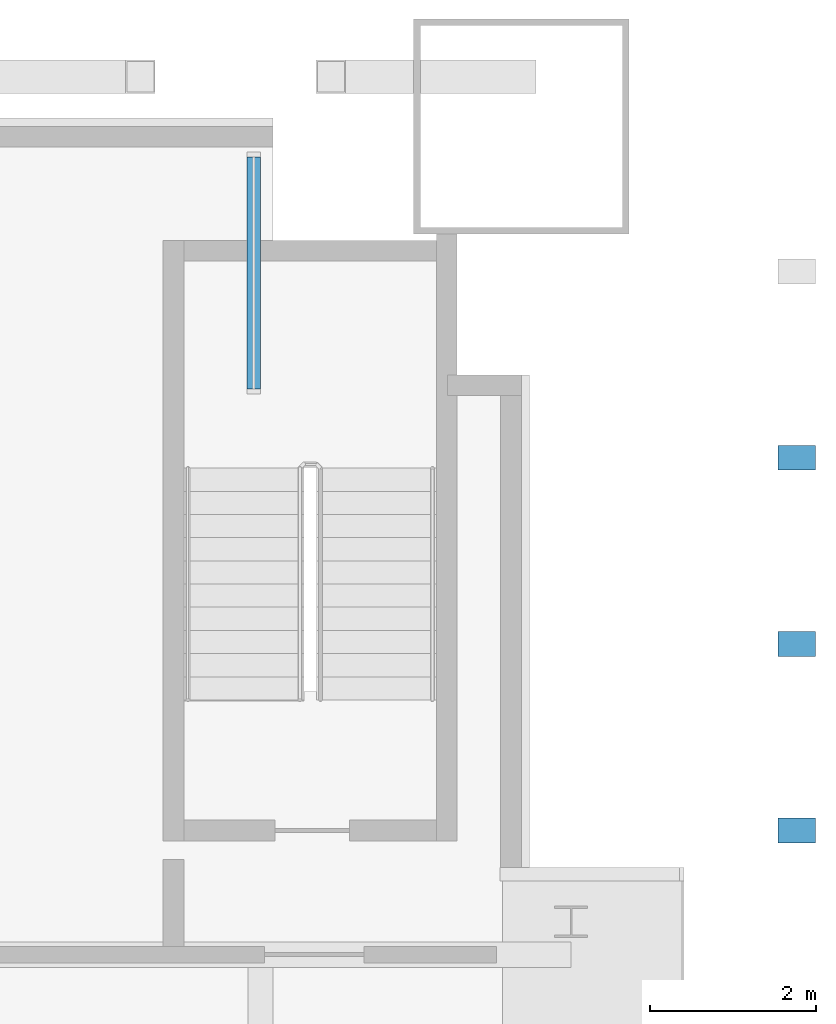
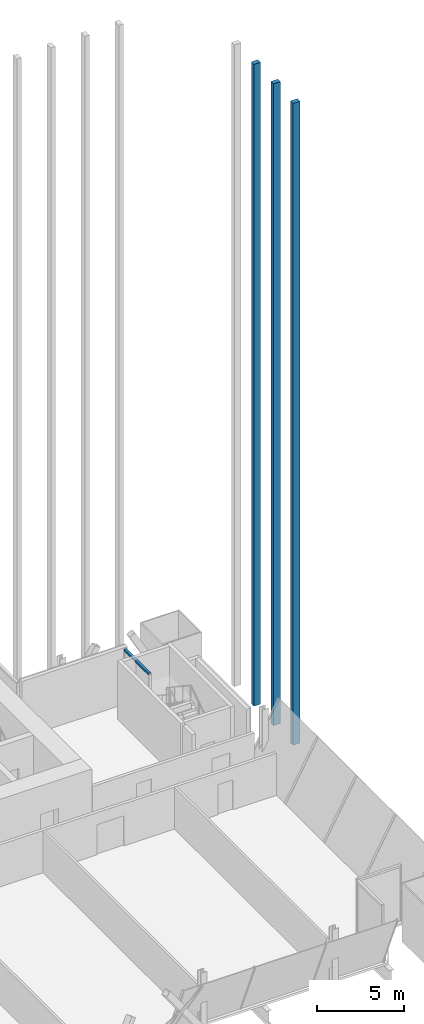
# One storey, part 25 of 33: 4 members, 2 elements without a shape of their own.
"""IFC4 building model written with IfcOpenShell, lengths in metres."""

import ifcopenshell
import ifcopenshell.guid

model = None  # the IFC model being written
_history = None  # IfcOwnerHistory: only IFC2X3 demands one
_inside = {}  # id of a spatial element -> (the spatial element, [elements in it])
_under = {}  # id of a project, library or spatial element -> (it, [spatial elements below it])
_declared = {}  # id of a project -> (the project, [libraries it declares])
_typed = {}  # id of a type object -> (the type object, [elements of that type])
_made_of = {}  # id of a material, layer set ... -> (it, [elements and type objects made of it])


def new_model(schema):
    """Start an empty IFC model of exactly this schema.

    Asked for "IFC4X3", IfcOpenShell would pick the latest addendum, in which some entities
    have other attributes; the version numbers below select the first issue.
    IFC2X3 requires an IfcOwnerHistory on every rooted entity: one is made here for all.
    """
    global model, _history
    if schema == "IFC4X3":
        model = ifcopenshell.file(schema_version=(4, 3, 0, 0))
    else:
        model = ifcopenshell.file(schema=schema)
    _inside.clear()
    _under.clear()
    _declared.clear()
    _typed.clear()
    _made_of.clear()
    _history = None
    if model.schema == "IFC2X3":
        org = make("IfcOrganization", Name="unknown")
        user = make(
            "IfcPersonAndOrganization",
            ThePerson=make("IfcPerson", FamilyName="unknown"),
            TheOrganization=org,
        )
        app = make(
            "IfcApplication",
            ApplicationDeveloper=org,
            Version="unknown",
            ApplicationFullName="unknown",
            ApplicationIdentifier="unknown",
        )
        _history = make(
            "IfcOwnerHistory",
            OwningUser=user,
            OwningApplication=app,
            ChangeAction="ADDED",
            CreationDate=0,
        )
    return model


def make(cls, **values):
    """One entity of the class cls with the attributes given. An attribute that is None is left unset."""
    return model.create_entity(
        cls, **{name: value for name, value in values.items() if value is not None}
    )


def rooted(cls, **values):
    """An entity with a GlobalId (a new one), such as an element, a storey or a relation."""
    return make(cls, GlobalId=ifcopenshell.guid.new(), OwnerHistory=_history, **values)


def si_unit(unit_type, name, prefix=None):
    """IfcSIUnit, for example si_unit("LENGTHUNIT", "METRE", prefix="MILLI")."""
    return make("IfcSIUnit", UnitType=unit_type, Prefix=prefix, Name=name)


def assignment(units):
    """IfcUnitAssignment: the units of a project."""
    return None if units is None else make("IfcUnitAssignment", Units=units)


def point(xyz):
    """IfcCartesianPoint."""
    return None if xyz is None else make("IfcCartesianPoint", Coordinates=xyz)


def direction(xyz):
    """IfcDirection."""
    return None if xyz is None else make("IfcDirection", DirectionRatios=xyz)


def frame(location, z_axis=None, x_axis=None):
    """IfcAxis2Placement3D, a coordinate frame: its origin and axes. An axis left out is left unset."""
    return make(
        "IfcAxis2Placement3D",
        Location=point(location),
        Axis=direction(z_axis),
        RefDirection=direction(x_axis),
    )


def frame_2d(location, x_axis=None):
    """IfcAxis2Placement2D, a coordinate frame in the plane: its origin and x axis."""
    return make(
        "IfcAxis2Placement2D", Location=point(location), RefDirection=direction(x_axis)
    )


def origin():
    """The frame at (0, 0, 0) with its axes left unset."""
    return frame((0.0, 0.0, 0.0))


def origin_2d():
    """The frame at (0, 0) in the plane with its x axis left unset."""
    return frame_2d((0.0, 0.0))


def place(relative_to, where):
    """IfcLocalPlacement: puts the frame where relative to a parent placement (None: the world)."""
    return make(
        "IfcLocalPlacement", PlacementRelTo=relative_to, RelativePlacement=where
    )


def context(
    kind, dimensions, precision=None, world=None, true_north=None, identifier=None
):
    """IfcGeometricRepresentationContext, for example the 3D "Model" context."""
    return make(
        "IfcGeometricRepresentationContext",
        ContextIdentifier=identifier,
        ContextType=kind,
        CoordinateSpaceDimension=dimensions,
        Precision=precision,
        WorldCoordinateSystem=world,
        TrueNorth=true_north,
    )


def subcontext(parent, identifier, kind, view, scale=None):
    """IfcGeometricRepresentationSubContext, for example "Body" below "Model"."""
    return make(
        "IfcGeometricRepresentationSubContext",
        ContextIdentifier=identifier,
        ContextType=kind,
        ParentContext=parent,
        TargetScale=scale,
        TargetView=view,
    )


def project(units=None, contexts=None):
    """IfcProject with its units and contexts."""
    return rooted(
        "IfcProject",
        Name="project",
        RepresentationContexts=contexts,
        UnitsInContext=assignment(units),
    )


def spatial(cls, under=None, at=None, **own):
    """A site, building, storey or space (cls), placed at a placement, below another one or the project."""
    s = rooted(cls, ObjectPlacement=at, **own)
    if under is not None:
        _under.setdefault(under.id(), (under, []))[1].append(s)
    return s


def profile(cls, at=None, kind="AREA", **sizes):
    """A parametric profile (cls). Its sizes go by their IFC names, for example OverallWidth=200.0."""
    return make(cls, ProfileType=kind, Position=at, **sizes)


def rectangle(**sizes):
    """IfcRectangleProfileDef."""
    return profile("IfcRectangleProfileDef", **sizes)


def extrude(swept, where, along, depth):
    """IfcExtrudedAreaSolid: the profile swept, set in the frame where, extruded along a direction by depth."""
    return make(
        "IfcExtrudedAreaSolid",
        SweptArea=swept,
        Position=where,
        ExtrudedDirection=direction(along),
        Depth=depth,
    )


def shape(context_of_items, identifier, shape_type, items):
    """IfcShapeRepresentation: the items that make up one representation, for example the "Body"."""
    return make(
        "IfcShapeRepresentation",
        ContextOfItems=context_of_items,
        RepresentationIdentifier=identifier,
        RepresentationType=shape_type,
        Items=items,
    )


def material(Name=None, Category=None):
    """IfcMaterial."""
    return make("IfcMaterial", Name=Name, Category=Category)


def material_profile(
    of_material, cross_section, Name=None, Category=None, Priority=None
):
    """IfcMaterialProfile: a cross section and its material."""
    return make(
        "IfcMaterialProfile",
        Name=Name,
        Material=of_material,
        Profile=cross_section,
        Priority=Priority,
        Category=Category,
    )


def profile_set(profiles, Name=None, composite=None):
    """IfcMaterialProfileSet."""
    return make(
        "IfcMaterialProfileSet",
        Name=Name,
        MaterialProfiles=profiles,
        CompositeProfile=composite,
    )


def made_of(thing, what):
    """Note that an element or type object is made of a material, layer set ...; save() writes the relation."""
    if what is not None:
        _made_of.setdefault(what.id(), (what, []))[1].append(thing)
    return thing


def type_object(cls, material=None, **own):
    """A type object (cls), such as IfcWallType, which elements share."""
    return made_of(rooted(cls, **own), material)


def element(
    cls,
    number,
    at=None,
    inside=None,
    cuts=None,
    type_object=None,
    material=None,
    context=None,
    identifier="Body",
    shape_type=None,
    held_by="IfcProductDefinitionShape",
    body=None,
    shapes=None,
    **own,
):
    """One element of the class cls, such as IfcWall. Its Tag is "e" and its number.

    at: its placement. inside: the storey or other place that contains it. cuts: it is an
    opening in that element (IfcRelVoidsElement). A single representation is given by context,
    identifier, shape_type and body (its items); several are given by shapes. held_by: the class
    of the entity that holds the representations. save() writes the other relations.
    """
    e = rooted(cls, Tag="e%d" % number, ObjectPlacement=at, **own)
    if body is not None:
        shapes = [shape(context, identifier, shape_type, body)]
    if shapes is not None:
        e.Representation = make(held_by, Representations=shapes)
    if inside is not None:
        _inside.setdefault(inside.id(), (inside, []))[1].append(e)
    if cuts is not None:
        rooted(
            "IfcRelVoidsElement", RelatingBuildingElement=cuts, RelatedOpeningElement=e
        )
    if type_object is not None:
        _typed.setdefault(type_object.id(), (type_object, []))[1].append(e)
    return made_of(e, material)


def aggregate(whole, parts):
    """IfcRelAggregates: a whole, such as a stair, and the parts it consists of."""
    return rooted("IfcRelAggregates", RelatingObject=whole, RelatedObjects=parts)


def save(model, path):
    """Write the relations noted so far, then the file.

    IfcRelAggregates (storeys below a building ...), IfcRelContainedInSpatialStructure (elements
    in a storey), IfcRelDefinesByType, IfcRelAssociatesMaterial and IfcRelDeclares: one each for
    every whole, place, type object, material and project.
    """
    for whole, parts in _under.values():
        aggregate(whole, parts)
    for where, things in _inside.values():
        rooted(
            "IfcRelContainedInSpatialStructure",
            RelatedElements=things,
            RelatingStructure=where,
        )
    for kind, things in _typed.values():
        rooted("IfcRelDefinesByType", RelatedObjects=things, RelatingType=kind)
    for what, things in _made_of.values():
        rooted("IfcRelAssociatesMaterial", RelatedObjects=things, RelatingMaterial=what)
    for by, libraries in _declared.values():
        rooted("IfcRelDeclares", RelatingContext=by, RelatedDefinitions=libraries)
    model.write(path)


model = new_model("IFC4")

# Units and contexts
model_context = context("Model", 3, precision=1e-05, world=origin(), true_north=direction((0.0, 1.0)))
body_context = subcontext(model_context, "Body", "Model", "MODEL_VIEW")
ifc_project = project(units=[si_unit("LENGTHUNIT", "METRE"), si_unit("AREAUNIT", "SQUARE_METRE"), si_unit("VOLUMEUNIT", "CUBIC_METRE"), si_unit("PLANEANGLEUNIT", "RADIAN"), si_unit("MASSUNIT", "GRAM", prefix="KILO")], contexts=[model_context])

# Site, building, storey
site_placement = place(None, origin())
site = spatial("IfcSite", under=ifc_project, at=site_placement, CompositionType="ELEMENT")
building_placement = place(site_placement, origin())
building = spatial("IfcBuilding", under=site, at=building_placement, Name="Bicima Exchange Tower", CompositionType="ELEMENT")
storey_placement = place(building_placement, frame((0.0, 0.0, 140.39990234375)))
storey = spatial("IfcBuildingStorey", under=building, at=storey_placement, Name="L30", CompositionType="ELEMENT", Elevation=140.39990234375)

# Curtain wall, member
ifc_material = material(Name="Anodised bronze aluminium", Category="aluminium")
curtain_wall_type_1 = type_object("IfcCurtainWallType", Name="Front glass wall", PredefinedType="NOTDEFINED", material=ifc_material)
curtain_wall_1_placement = place(storey_placement, origin())
curtain_wall_1 = element("IfcCurtainWall", 1, at=curtain_wall_1_placement, inside=storey, type_object=curtain_wall_type_1, Name="Front glass wall L30 run 2", PredefinedType="NOTDEFINED")
ifc_material_profile_1 = material_profile(ifc_material, rectangle(XDim=0.159912109375, YDim=0.139892578125, at=origin_2d()))
ifc_profile_set_1 = profile_set([ifc_material_profile_1], Name="Anodised bronze aluminium")
member_type_1 = type_object("IfcMemberType", Name="Front glass wall transom 140 x 160", PredefinedType="USERDEFINED", material=ifc_profile_set_1)
member_1_placement = place(storey_placement, frame((29.77001953125, -6.169921875, 3.880126953125), z_axis=(0.0, 1.0, 0.0), x_axis=(-1.0, 0.0, 0.0)))
member_1 = element("IfcMember", 2, at=member_1_placement, type_object=member_type_1, Name="Front glass wall transom 1.1", ObjectType="TRANSOM", PredefinedType="USERDEFINED", context=body_context, shape_type="SweptSolid", body=[
    extrude(rectangle(XDim=0.159912109375, YDim=0.139892578125, at=origin_2d()), origin(), (0.0, 0.0, 1.0), 2.7998046875),
])
aggregate(curtain_wall_1, [member_1])

# Curtain wall, members
curtain_wall_type_2 = type_object("IfcCurtainWallType", Name="Rear blade screen", PredefinedType="NOTDEFINED", material=ifc_material)
curtain_wall_2_placement = place(storey_placement, origin())
curtain_wall_2 = element("IfcCurtainWall", 3, at=curtain_wall_2_placement, inside=storey, type_object=curtain_wall_type_2, Name="End blade screen L30-L40", PredefinedType="NOTDEFINED")
ifc_material_profile_2 = material_profile(ifc_material, rectangle(XDim=0.449951171875, YDim=0.300048828125, at=origin_2d()))
ifc_profile_set_2 = profile_set([ifc_material_profile_2], Name="Anodised bronze aluminium")
member_type_2 = type_object("IfcMemberType", Name="Rear blade fin 450 x 300", PredefinedType="USERDEFINED", material=ifc_profile_set_2)
member_2_placement = place(storey_placement, frame((36.324951171875, -11.5, 0.0), z_axis=(0.0, 0.0, 1.0), x_axis=(1.0, 0.0, 0.0)))
member_2 = element("IfcMember", 4, at=member_2_placement, type_object=member_type_2, Name="End blade fin L30-L40 1", ObjectType="FIN", PredefinedType="USERDEFINED", context=body_context, shape_type="SweptSolid", body=[
    extrude(rectangle(XDim=0.449951171875, YDim=0.300048828125, at=origin_2d()), origin(), (0.0, 0.0, 1.0), 44.900146484375),
])
member_3_placement = place(storey_placement, frame((36.324951171875, -9.25, 0.0), z_axis=(0.0, 0.0, 1.0), x_axis=(1.0, 0.0, 0.0)))
member_3 = element("IfcMember", 5, at=member_3_placement, type_object=member_type_2, Name="End blade fin L30-L40 2", ObjectType="FIN", PredefinedType="USERDEFINED", context=body_context, shape_type="SweptSolid", body=[
    extrude(rectangle(XDim=0.449951171875, YDim=0.300048828125, at=origin_2d()), origin(), (0.0, 0.0, 1.0), 44.900146484375),
])
member_4_placement = place(storey_placement, frame((36.324951171875, -7.0, 0.0), z_axis=(0.0, 0.0, 1.0), x_axis=(1.0, 0.0, 0.0)))
member_4 = element("IfcMember", 6, at=member_4_placement, type_object=member_type_2, Name="End blade fin L30-L40 3", ObjectType="FIN", PredefinedType="USERDEFINED", context=body_context, shape_type="SweptSolid", body=[
    extrude(rectangle(XDim=0.449951171875, YDim=0.300048828125, at=origin_2d()), origin(), (0.0, 0.0, 1.0), 44.900146484375),
])
aggregate(curtain_wall_2, [member_2, member_3, member_4])

save(model, "model.ifc")
